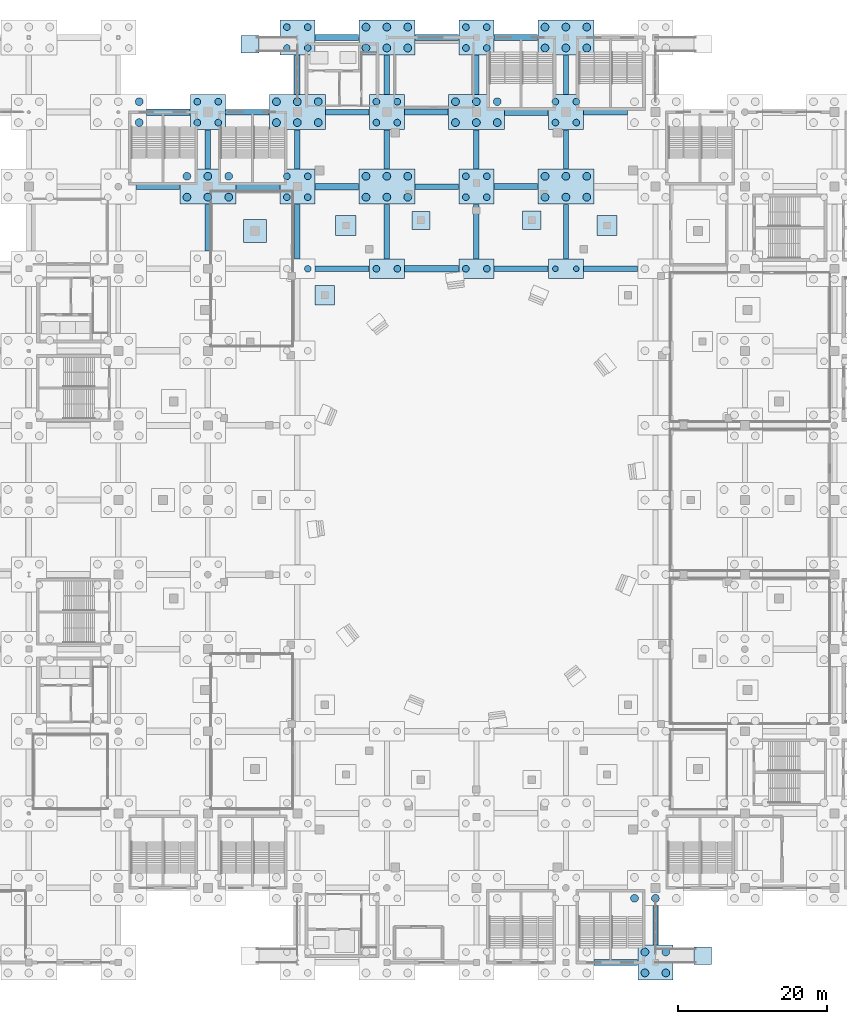
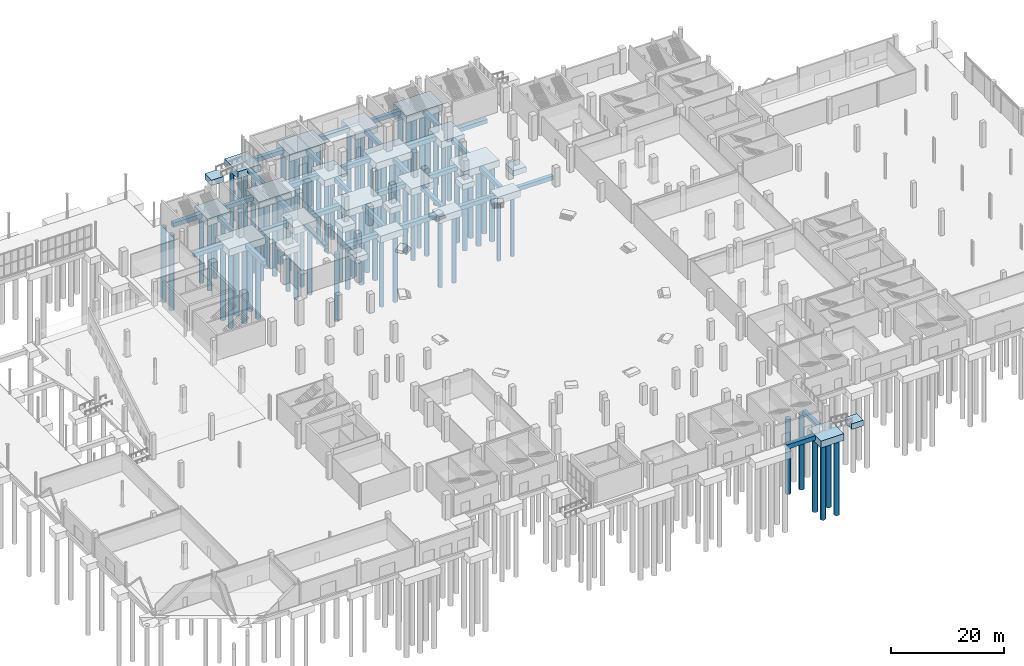
# One storey, part 5 of 70: 85 piles, 60 footings.
"""IFC4 building model written with IfcOpenShell, lengths in metres."""

from ifc_helpers import new_model, si_unit, direction, frame, origin, origin_2d, place, context, subcontext, project, spatial, rectangle, circle, extrude, material, layer, layer_set, material_profile, profile_set, type_object, element, save


model = new_model("IFC4")

# Units and contexts
model_context = context("Model", 3, precision=1e-05, world=origin(), true_north=direction((0.0, 1.0)))
body_context = subcontext(model_context, "Body", "Model", "MODEL_VIEW")
ifc_project = project(units=[si_unit("LENGTHUNIT", "METRE"), si_unit("AREAUNIT", "SQUARE_METRE"), si_unit("VOLUMEUNIT", "CUBIC_METRE"), si_unit("PLANEANGLEUNIT", "RADIAN"), si_unit("MASSUNIT", "GRAM", prefix="KILO")], contexts=[model_context])

# Site, building, storey
site_placement = place(None, origin())
site = spatial("IfcSite", under=ifc_project, at=site_placement, CompositionType="ELEMENT")
building_placement = place(site_placement, origin())
building = spatial("IfcBuilding", under=site, at=building_placement, Name="Brinegate Civic Arena", CompositionType="ELEMENT")
storey_placement = place(building_placement, origin())
storey = spatial("IfcBuildingStorey", under=building, at=storey_placement, Name="L00", CompositionType="ELEMENT", Elevation=0.0)

# Footings
ifc_material = material(Name="Concrete C40/50", Category="concrete")
ifc_layer_1 = layer(ifc_material, 1.5, Name="Concrete C40/50")
ifc_layer_set_1 = layer_set([ifc_layer_1], Name="Concrete C40/50")
footing_type_1 = type_object("IfcFootingType", Name="CAP-2PILE-3800", PredefinedType="PILE_CAP", material=ifc_layer_set_1)
for number, where, z_axis, x_axis, name in (
    (1, (96.0, 93.0, -1.800048828125), (0.0, 0.0, 1.0), (1.0, 0.0, 0.0), "Pile Cap CAP-101 (9-K)"),
    (2, (108.0, 93.0, -1.800048828125), (0.0, 0.0, 1.0), (1.0, 0.0, 0.0), "Pile Cap CAP-109 (10-K)"),
    (3, (120.0, 93.0, -1.800048828125), (0.0, 0.0, 1.0), (1.0, 0.0, 0.0), "Pile Cap CAP-117 (11-K)"),
):
    element("IfcFooting", number, at=place(storey_placement, frame(where, z_axis=z_axis, x_axis=x_axis)), inside=storey, type_object=footing_type_1, Name=name, PredefinedType="PILE_CAP", context=body_context, shape_type="SweptSolid", body=[
        extrude(rectangle(XDim=4.699951171875, YDim=2.60009765625, at=origin_2d()), origin(), (0.0, 0.0, 1.0), 1.5),
    ])
ifc_layer_2 = layer(ifc_material, 1.5, Name="Concrete C40/50")
ifc_layer_set_2 = layer_set([ifc_layer_2], Name="Concrete C40/50")
footing_type_2 = type_object("IfcFootingType", Name="CAP-4PILE-3800", PredefinedType="PILE_CAP", material=ifc_layer_set_2)
for number, where, z_axis, x_axis, name in (
    (4, (72.0, 114.0, -1.800048828125), (0.0, 0.0, 1.0), (1.0, 0.0, 0.0), "Pile Cap CAP-083 (7-M)"),
    (5, (84.0, 104.0, -1.800048828125), (0.0, 0.0, 1.0), (1.0, 0.0, 0.0), "Pile Cap CAP-094 (8-L)"),
    (6, (84.0, 124.0, -1.800048828125), (0.0, 0.0, 1.0), (1.0, 0.0, 0.0), "Pile Cap CAP-096 (8-N)"),
    (7, (96.0, 114.0, -1.800048828125), (0.0, 0.0, 1.0), (1.0, 0.0, 0.0), "Pile Cap CAP-103 (9-M)"),
    (8, (108.0, 104.0, -1.800048828125), (0.0, 0.0, 1.0), (1.0, 0.0, 0.0), "Pile Cap CAP-110 (10-L)"),
    (9, (108.0, 124.0, -1.800048828125), (0.0, 0.0, 1.0), (1.0, 0.0, 0.0), "Pile Cap CAP-112 (10-N)"),
    (10, (120.0, 114.0, -1.800048828125), (0.0, 0.0, 1.0), (1.0, 0.0, 0.0), "Pile Cap CAP-119 (11-M)"),
    (11, (132.0, 0.0, -1.800048828125), (0.0, 0.0, 1.0), (1.0, 0.0, 0.0), "Pile Cap CAP-121 (12-A)"),
):
    element("IfcFooting", number, at=place(storey_placement, frame(where, z_axis=z_axis, x_axis=x_axis)), inside=storey, type_object=footing_type_2, Name=name, PredefinedType="PILE_CAP", context=body_context, shape_type="SweptSolid", body=[
        extrude(rectangle(XDim=4.699951171875, YDim=4.699951171875, at=origin_2d()), origin(), (0.0, 0.0, 1.0), 1.5),
    ])
ifc_layer_3 = layer(ifc_material, 1.5, Name="Concrete C40/50")
ifc_layer_set_3 = layer_set([ifc_layer_3], Name="Concrete C40/50")
footing_type_3 = type_object("IfcFootingType", Name="CAP-6PILE-5400", PredefinedType="PILE_CAP", material=ifc_layer_set_3)
for number, where, z_axis, x_axis, name in (
    (12, (72.0, 104.0, -1.800048828125), (0.0, 0.0, 1.0), (1.0, 0.0, 0.0), "Pile Cap CAP-082 (7-L)"),
    (13, (84.0, 114.0, -1.800048828125), (0.0, 0.0, 1.0), (1.0, 0.0, 0.0), "Pile Cap CAP-095 (8-M)"),
    (14, (96.0, 104.0, -1.800048828125), (0.0, 0.0, 1.0), (1.0, 0.0, 0.0), "Pile Cap CAP-102 (9-L)"),
    (15, (96.0, 124.0, -1.800048828125), (0.0, 0.0, 1.0), (1.0, 0.0, 0.0), "Pile Cap CAP-104 (9-N)"),
    (16, (108.0, 114.0, -1.800048828125), (0.0, 0.0, 1.0), (1.0, 0.0, 0.0), "Pile Cap CAP-111 (10-M)"),
    (17, (120.0, 104.0, -1.800048828125), (0.0, 0.0, 1.0), (1.0, 0.0, 0.0), "Pile Cap CAP-118 (11-L)"),
    (18, (120.0, 124.0, -1.800048828125), (0.0, 0.0, 1.0), (1.0, 0.0, 0.0), "Pile Cap CAP-120 (11-N)"),
):
    element("IfcFooting", number, at=place(storey_placement, frame(where, z_axis=z_axis, x_axis=x_axis)), inside=storey, type_object=footing_type_3, Name=name, PredefinedType="PILE_CAP", context=body_context, shape_type="SweptSolid", body=[
        extrude(rectangle(XDim=7.5, YDim=4.699951171875, at=origin_2d()), origin(), (0.0, 0.0, 1.0), 1.5),
    ])
ifc_layer_4 = layer(ifc_material, 1.199951171875, Name="Concrete C40/50")
ifc_layer_set_4 = layer_set([ifc_layer_4], Name="Concrete C40/50")
footing_type_4 = type_object("IfcFootingType", Name="PAD-FOOT-2400", PredefinedType="PAD_FOOTING", material=ifc_layer_set_4)
for number, where, z_axis, x_axis, name in (
    (19, (100.55908203125, 99.489990234375, -1.5), (0.0, 0.0, 1.0), (1.0, 0.0, 0.0), "Pad Footing PAD-004"),
    (20, (138.35009765625, 0.89990234375, -1.64892578125), (0.0, 0.0, 1.0), (1.0, 0.0, 0.0), "Ramp Toe Pad Footing PAD-036"),
    (21, (77.64990234375, 123.10009765625, -1.64892578125), (0.0, 0.0, 1.0), (1.0, 0.0, 0.0), "Ramp Toe Pad Footing PAD-037"),
):
    element("IfcFooting", number, at=place(storey_placement, frame(where, z_axis=z_axis, x_axis=x_axis)), inside=storey, type_object=footing_type_4, Name=name, PredefinedType="PAD_FOOTING", context=body_context, shape_type="SweptSolid", body=[
        extrude(rectangle(XDim=2.39990234375, YDim=2.39990234375, at=origin_2d()), origin(), (0.0, 0.0, 1.0), 1.199951171875),
    ])
ifc_layer_5 = layer(ifc_material, 1.14990234375, Name="Concrete C40/50")
ifc_layer_set_5 = layer_set([ifc_layer_5], Name="Concrete C40/50")
footing_type_5 = type_object("IfcFootingType", Name="PAD-FOOT-2500", PredefinedType="PAD_FOOTING", material=ifc_layer_set_5)
footing_1_placement = place(storey_placement, frame((115.44091796875, 99.489990234375, -1.449951171875), z_axis=(0.0, 0.0, 1.0), x_axis=(1.0, 0.0, 0.0)))
element("IfcFooting", 22, at=footing_1_placement, inside=storey, type_object=footing_type_5, Name="Pad Footing PAD-003", PredefinedType="PAD_FOOTING", context=body_context, shape_type="SweptSolid", body=[
    extrude(rectangle(XDim=2.5, YDim=2.5, at=origin_2d()), origin(), (0.0, 0.0, 1.0), 1.14990234375),
])
ifc_layer_6 = layer(ifc_material, 1.199951171875, Name="Concrete C40/50")
ifc_layer_set_6 = layer_set([ifc_layer_6], Name="Concrete C40/50")
footing_type_6 = type_object("IfcFootingType", Name="PAD-FOOT-2600", PredefinedType="PAD_FOOTING", material=ifc_layer_set_6)
footing_2_placement = place(storey_placement, frame((87.6708984375, 89.444091796875, -1.5), z_axis=(0.0, 0.0, 1.0), x_axis=(1.0, 0.0, 0.0)))
element("IfcFooting", 23, at=footing_2_placement, inside=storey, type_object=footing_type_6, Name="Pad Footing PAD-005", PredefinedType="PAD_FOOTING", context=body_context, shape_type="SweptSolid", body=[
    extrude(rectangle(XDim=2.60009765625, YDim=2.60009765625, at=origin_2d()), origin(), (0.0, 0.0, 1.0), 1.199951171875),
])
ifc_layer_7 = layer(ifc_material, 1.199951171875, Name="Concrete C40/50")
ifc_layer_set_7 = layer_set([ifc_layer_7], Name="Concrete C40/50")
footing_type_7 = type_object("IfcFootingType", Name="PAD-FOOT-2700", PredefinedType="PAD_FOOTING", material=ifc_layer_set_7)
for number, where, z_axis, x_axis, name in (
    (24, (125.5, 98.805908203125, -1.5), (0.0, 0.0, 1.0), (1.0, 0.0, 0.0), "Pad Footing PAD-012"),
    (25, (90.5, 98.805908203125, -1.5), (0.0, 0.0, 1.0), (1.0, 0.0, 0.0), "Pad Footing PAD-013"),
):
    element("IfcFooting", number, at=place(storey_placement, frame(where, z_axis=z_axis, x_axis=x_axis)), inside=storey, type_object=footing_type_7, Name=name, PredefinedType="PAD_FOOTING", context=body_context, shape_type="SweptSolid", body=[
        extrude(rectangle(XDim=2.699951171875, YDim=2.699951171875, at=origin_2d()), origin(), (0.0, 0.0, 1.0), 1.199951171875),
    ])
ifc_layer_8 = layer(ifc_material, 1.300048828125, Name="Concrete C40/50")
ifc_layer_set_8 = layer_set([ifc_layer_8], Name="Concrete C40/50")
footing_type_8 = type_object("IfcFootingType", Name="PAD-FOOT-3100", PredefinedType="PAD_FOOTING", material=ifc_layer_set_8)
footing_3_placement = place(storey_placement, frame((78.302001953125, 98.06201171875, -1.60009765625), z_axis=(0.0, 0.0, 1.0), x_axis=(1.0, 0.0, 0.0)))
element("IfcFooting", 26, at=footing_3_placement, inside=storey, type_object=footing_type_8, Name="Pad Footing PAD-023", PredefinedType="PAD_FOOTING", context=body_context, shape_type="SweptSolid", body=[
    extrude(rectangle(XDim=3.10009765625, YDim=3.10009765625, at=origin_2d()), origin(), (0.0, 0.0, 1.0), 1.300048828125),
])

# Piles
ifc_material_profile_1 = material_profile(ifc_material, circle(Radius=0.52490234375, at=origin_2d()), Name="PILED1050")
ifc_profile_set_1 = profile_set([ifc_material_profile_1], Name="Concrete C40/50")
pile_type_1 = type_object("IfcPileType", Name="PILE-BORED-1050", PredefinedType="BORED", material=ifc_profile_set_1)
for number, where, z_axis, x_axis, name in (
    (27, (62.800048828125, 112.60009765625, -1.699951171875), (0.0, 0.0, -1.0), (1.0, 0.0, 0.0), "Bored Socket Pile PIL-0215"),
    (28, (62.800048828125, 115.39990234375, -1.699951171875), (0.0, 0.0, -1.0), (1.0, 0.0, 0.0), "Bored Socket Pile PIL-0218"),
    (29, (69.199951171875, 102.60009765625, -1.699951171875), (0.0, 0.0, -1.0), (1.0, 0.0, 0.0), "Bored Socket Pile PIL-0267"),
    (30, (72.0, 102.60009765625, -1.699951171875), (0.0, 0.0, -1.0), (1.0, 0.0, 0.0), "Bored Socket Pile PIL-0268"),
    (31, (74.800048828125, 102.60009765625, -1.699951171875), (0.0, 0.0, -1.0), (1.0, 0.0, 0.0), "Bored Socket Pile PIL-0269"),
    (32, (69.199951171875, 105.39990234375, -1.699951171875), (0.0, 0.0, -1.0), (1.0, 0.0, 0.0), "Bored Socket Pile PIL-0270"),
    (33, (72.0, 105.39990234375, -1.699951171875), (0.0, 0.0, -1.0), (1.0, 0.0, 0.0), "Bored Socket Pile PIL-0271"),
    (34, (74.800048828125, 105.39990234375, -1.699951171875), (0.0, 0.0, -1.0), (1.0, 0.0, 0.0), "Bored Socket Pile PIL-0272"),
    (35, (81.199951171875, 112.60009765625, -1.699951171875), (0.0, 0.0, -1.0), (1.0, 0.0, 0.0), "Bored Socket Pile PIL-0309"),
    (36, (84.0, 112.60009765625, -1.699951171875), (0.0, 0.0, -1.0), (1.0, 0.0, 0.0), "Bored Socket Pile PIL-0310"),
    (37, (86.800048828125, 112.60009765625, -1.699951171875), (0.0, 0.0, -1.0), (1.0, 0.0, 0.0), "Bored Socket Pile PIL-0311"),
    (38, (81.199951171875, 115.39990234375, -1.699951171875), (0.0, 0.0, -1.0), (1.0, 0.0, 0.0), "Bored Socket Pile PIL-0312"),
    (39, (84.0, 115.39990234375, -1.699951171875), (0.0, 0.0, -1.0), (1.0, 0.0, 0.0), "Bored Socket Pile PIL-0313"),
    (40, (86.800048828125, 115.39990234375, -1.699951171875), (0.0, 0.0, -1.0), (1.0, 0.0, 0.0), "Bored Socket Pile PIL-0314"),
    (41, (93.199951171875, 102.60009765625, -1.699951171875), (0.0, 0.0, -1.0), (1.0, 0.0, 0.0), "Bored Socket Pile PIL-0339"),
    (42, (96.0, 102.60009765625, -1.699951171875), (0.0, 0.0, -1.0), (1.0, 0.0, 0.0), "Bored Socket Pile PIL-0340"),
    (43, (98.800048828125, 102.60009765625, -1.699951171875), (0.0, 0.0, -1.0), (1.0, 0.0, 0.0), "Bored Socket Pile PIL-0341"),
    (44, (93.199951171875, 105.39990234375, -1.699951171875), (0.0, 0.0, -1.0), (1.0, 0.0, 0.0), "Bored Socket Pile PIL-0342"),
    (45, (96.0, 105.39990234375, -1.699951171875), (0.0, 0.0, -1.0), (1.0, 0.0, 0.0), "Bored Socket Pile PIL-0343"),
    (46, (98.800048828125, 105.39990234375, -1.699951171875), (0.0, 0.0, -1.0), (1.0, 0.0, 0.0), "Bored Socket Pile PIL-0344"),
    (47, (93.199951171875, 122.60009765625, -1.699951171875), (0.0, 0.0, -1.0), (1.0, 0.0, 0.0), "Bored Socket Pile PIL-0349"),
    (48, (96.0, 122.60009765625, -1.699951171875), (0.0, 0.0, -1.0), (1.0, 0.0, 0.0), "Bored Socket Pile PIL-0350"),
    (49, (98.800048828125, 122.60009765625, -1.699951171875), (0.0, 0.0, -1.0), (1.0, 0.0, 0.0), "Bored Socket Pile PIL-0351"),
    (50, (93.199951171875, 125.39990234375, -1.699951171875), (0.0, 0.0, -1.0), (1.0, 0.0, 0.0), "Bored Socket Pile PIL-0352"),
    (51, (96.0, 125.39990234375, -1.699951171875), (0.0, 0.0, -1.0), (1.0, 0.0, 0.0), "Bored Socket Pile PIL-0353"),
    (52, (98.800048828125, 125.39990234375, -1.699951171875), (0.0, 0.0, -1.0), (1.0, 0.0, 0.0), "Bored Socket Pile PIL-0354"),
    (53, (105.199951171875, 112.60009765625, -1.699951171875), (0.0, 0.0, -1.0), (1.0, 0.0, 0.0), "Bored Socket Pile PIL-0377"),
    (54, (108.0, 112.60009765625, -1.699951171875), (0.0, 0.0, -1.0), (1.0, 0.0, 0.0), "Bored Socket Pile PIL-0378"),
    (55, (110.800048828125, 112.60009765625, -1.699951171875), (0.0, 0.0, -1.0), (1.0, 0.0, 0.0), "Bored Socket Pile PIL-0379"),
    (56, (105.199951171875, 115.39990234375, -1.699951171875), (0.0, 0.0, -1.0), (1.0, 0.0, 0.0), "Bored Socket Pile PIL-0380"),
    (57, (108.0, 115.39990234375, -1.699951171875), (0.0, 0.0, -1.0), (1.0, 0.0, 0.0), "Bored Socket Pile PIL-0381"),
    (58, (110.800048828125, 115.39990234375, -1.699951171875), (0.0, 0.0, -1.0), (1.0, 0.0, 0.0), "Bored Socket Pile PIL-0382"),
    (59, (117.199951171875, 102.60009765625, -1.699951171875), (0.0, 0.0, -1.0), (1.0, 0.0, 0.0), "Bored Socket Pile PIL-0407"),
    (60, (120.0, 102.60009765625, -1.699951171875), (0.0, 0.0, -1.0), (1.0, 0.0, 0.0), "Bored Socket Pile PIL-0408"),
    (61, (122.800048828125, 102.60009765625, -1.699951171875), (0.0, 0.0, -1.0), (1.0, 0.0, 0.0), "Bored Socket Pile PIL-0409"),
    (62, (117.199951171875, 105.39990234375, -1.699951171875), (0.0, 0.0, -1.0), (1.0, 0.0, 0.0), "Bored Socket Pile PIL-0410"),
    (63, (120.0, 105.39990234375, -1.699951171875), (0.0, 0.0, -1.0), (1.0, 0.0, 0.0), "Bored Socket Pile PIL-0411"),
    (64, (122.800048828125, 105.39990234375, -1.699951171875), (0.0, 0.0, -1.0), (1.0, 0.0, 0.0), "Bored Socket Pile PIL-0412"),
    (65, (117.199951171875, 122.60009765625, -1.699951171875), (0.0, 0.0, -1.0), (1.0, 0.0, 0.0), "Bored Socket Pile PIL-0417"),
    (66, (120.0, 122.60009765625, -1.699951171875), (0.0, 0.0, -1.0), (1.0, 0.0, 0.0), "Bored Socket Pile PIL-0418"),
    (67, (122.800048828125, 122.60009765625, -1.699951171875), (0.0, 0.0, -1.0), (1.0, 0.0, 0.0), "Bored Socket Pile PIL-0419"),
    (68, (117.199951171875, 125.39990234375, -1.699951171875), (0.0, 0.0, -1.0), (1.0, 0.0, 0.0), "Bored Socket Pile PIL-0420"),
    (69, (120.0, 125.39990234375, -1.699951171875), (0.0, 0.0, -1.0), (1.0, 0.0, 0.0), "Bored Socket Pile PIL-0421"),
    (70, (122.800048828125, 125.39990234375, -1.699951171875), (0.0, 0.0, -1.0), (1.0, 0.0, 0.0), "Bored Socket Pile PIL-0422"),
    (71, (130.60009765625, -1.39990234375, -1.699951171875), (0.0, 0.0, -1.0), (1.0, 0.0, 0.0), "Bored Socket Pile PIL-0423"),
    (72, (133.39990234375, -1.39990234375, -1.699951171875), (0.0, 0.0, -1.0), (1.0, 0.0, 0.0), "Bored Socket Pile PIL-0424"),
    (73, (130.60009765625, 1.39990234375, -1.699951171875), (0.0, 0.0, -1.0), (1.0, 0.0, 0.0), "Bored Socket Pile PIL-0425"),
    (74, (133.39990234375, 1.39990234375, -1.699951171875), (0.0, 0.0, -1.0), (1.0, 0.0, 0.0), "Bored Socket Pile PIL-0426"),
    (75, (129.199951171875, 8.60009765625, -1.699951171875), (0.0, 0.0, -1.0), (1.0, 0.0, 0.0), "Bored Socket Pile PIL-0427"),
    (76, (132.0, 8.60009765625, -1.699951171875), (0.0, 0.0, -1.0), (1.0, 0.0, 0.0), "Bored Socket Pile PIL-0428"),
):
    element("IfcPile", number, at=place(storey_placement, frame(where, z_axis=z_axis, x_axis=x_axis)), inside=storey, type_object=pile_type_1, Name=name, PredefinedType="BORED", context=body_context, shape_type="SweptSolid", body=[
        extrude(circle(Radius=0.52490234375, at=origin_2d()), origin(), (0.0, 0.0, 1.0), 16.300048828125),
    ])
ifc_material_profile_2 = material_profile(ifc_material, circle(Radius=0.375, at=origin_2d()), Name="PILED750")
ifc_profile_set_2 = profile_set([ifc_material_profile_2], Name="Concrete C40/50")
pile_type_2 = type_object("IfcPileType", Name="PILE-BORED-750", PredefinedType="BORED", material=ifc_profile_set_2)
for number, where, z_axis, x_axis, name in (
    (77, (118.60009765625, 93.0, -1.699951171875), (0.0, 0.0, -1.0), (1.0, 0.0, 0.0), "Bored Socket Pile PIL-0405"),
    (78, (121.39990234375, 93.0, -1.699951171875), (0.0, 0.0, -1.0), (1.0, 0.0, 0.0), "Bored Socket Pile PIL-0406"),
):
    element("IfcPile", number, at=place(storey_placement, frame(where, z_axis=z_axis, x_axis=x_axis)), inside=storey, type_object=pile_type_2, Name=name, PredefinedType="BORED", context=body_context, shape_type="SweptSolid", body=[
        extrude(circle(Radius=0.375, at=origin_2d()), origin(), (0.0, 0.0, 1.0), 13.300048828125),
    ])
ifc_material_profile_3 = material_profile(ifc_material, circle(Radius=0.449951171875, at=origin_2d()), Name="PILED900")
ifc_profile_set_3 = profile_set([ifc_material_profile_3], Name="Concrete C40/50")
pile_type_3 = type_object("IfcPileType", Name="PILE-BORED-900", PredefinedType="BORED", material=ifc_profile_set_3)
for number, where, z_axis, x_axis, name in (
    (79, (70.60009765625, 112.60009765625, -1.699951171875), (0.0, 0.0, -1.0), (1.0, 0.0, 0.0), "Bored Socket Pile PIL-0273"),
    (80, (73.39990234375, 112.60009765625, -1.699951171875), (0.0, 0.0, -1.0), (1.0, 0.0, 0.0), "Bored Socket Pile PIL-0274"),
    (81, (70.60009765625, 115.39990234375, -1.699951171875), (0.0, 0.0, -1.0), (1.0, 0.0, 0.0), "Bored Socket Pile PIL-0275"),
    (82, (73.39990234375, 115.39990234375, -1.699951171875), (0.0, 0.0, -1.0), (1.0, 0.0, 0.0), "Bored Socket Pile PIL-0276"),
    (83, (85.39990234375, 93.0, -1.699951171875), (0.0, 0.0, -1.0), (1.0, 0.0, 0.0), "Bored Socket Pile PIL-0304"),
    (84, (82.60009765625, 102.60009765625, -1.699951171875), (0.0, 0.0, -1.0), (1.0, 0.0, 0.0), "Bored Socket Pile PIL-0305"),
    (85, (85.39990234375, 102.60009765625, -1.699951171875), (0.0, 0.0, -1.0), (1.0, 0.0, 0.0), "Bored Socket Pile PIL-0306"),
    (86, (82.60009765625, 105.39990234375, -1.699951171875), (0.0, 0.0, -1.0), (1.0, 0.0, 0.0), "Bored Socket Pile PIL-0307"),
    (87, (85.39990234375, 105.39990234375, -1.699951171875), (0.0, 0.0, -1.0), (1.0, 0.0, 0.0), "Bored Socket Pile PIL-0308"),
    (88, (82.60009765625, 122.60009765625, -1.699951171875), (0.0, 0.0, -1.0), (1.0, 0.0, 0.0), "Bored Socket Pile PIL-0315"),
    (89, (85.39990234375, 122.60009765625, -1.699951171875), (0.0, 0.0, -1.0), (1.0, 0.0, 0.0), "Bored Socket Pile PIL-0316"),
    (90, (82.60009765625, 125.39990234375, -1.699951171875), (0.0, 0.0, -1.0), (1.0, 0.0, 0.0), "Bored Socket Pile PIL-0317"),
    (91, (85.39990234375, 125.39990234375, -1.699951171875), (0.0, 0.0, -1.0), (1.0, 0.0, 0.0), "Bored Socket Pile PIL-0318"),
    (92, (94.60009765625, 93.0, -1.699951171875), (0.0, 0.0, -1.0), (1.0, 0.0, 0.0), "Bored Socket Pile PIL-0337"),
    (93, (97.39990234375, 93.0, -1.699951171875), (0.0, 0.0, -1.0), (1.0, 0.0, 0.0), "Bored Socket Pile PIL-0338"),
    (94, (94.60009765625, 112.60009765625, -1.699951171875), (0.0, 0.0, -1.0), (1.0, 0.0, 0.0), "Bored Socket Pile PIL-0345"),
    (95, (97.39990234375, 112.60009765625, -1.699951171875), (0.0, 0.0, -1.0), (1.0, 0.0, 0.0), "Bored Socket Pile PIL-0346"),
    (96, (94.60009765625, 115.39990234375, -1.699951171875), (0.0, 0.0, -1.0), (1.0, 0.0, 0.0), "Bored Socket Pile PIL-0347"),
    (97, (97.39990234375, 115.39990234375, -1.699951171875), (0.0, 0.0, -1.0), (1.0, 0.0, 0.0), "Bored Socket Pile PIL-0348"),
    (98, (106.60009765625, 93.0, -1.699951171875), (0.0, 0.0, -1.0), (1.0, 0.0, 0.0), "Bored Socket Pile PIL-0371"),
    (99, (109.39990234375, 93.0, -1.699951171875), (0.0, 0.0, -1.0), (1.0, 0.0, 0.0), "Bored Socket Pile PIL-0372"),
    (100, (106.60009765625, 102.60009765625, -1.699951171875), (0.0, 0.0, -1.0), (1.0, 0.0, 0.0), "Bored Socket Pile PIL-0373"),
    (101, (109.39990234375, 102.60009765625, -1.699951171875), (0.0, 0.0, -1.0), (1.0, 0.0, 0.0), "Bored Socket Pile PIL-0374"),
    (102, (106.60009765625, 105.39990234375, -1.699951171875), (0.0, 0.0, -1.0), (1.0, 0.0, 0.0), "Bored Socket Pile PIL-0375"),
    (103, (109.39990234375, 105.39990234375, -1.699951171875), (0.0, 0.0, -1.0), (1.0, 0.0, 0.0), "Bored Socket Pile PIL-0376"),
    (104, (106.60009765625, 122.60009765625, -1.699951171875), (0.0, 0.0, -1.0), (1.0, 0.0, 0.0), "Bored Socket Pile PIL-0383"),
    (105, (109.39990234375, 122.60009765625, -1.699951171875), (0.0, 0.0, -1.0), (1.0, 0.0, 0.0), "Bored Socket Pile PIL-0384"),
    (106, (106.60009765625, 125.39990234375, -1.699951171875), (0.0, 0.0, -1.0), (1.0, 0.0, 0.0), "Bored Socket Pile PIL-0385"),
    (107, (109.39990234375, 125.39990234375, -1.699951171875), (0.0, 0.0, -1.0), (1.0, 0.0, 0.0), "Bored Socket Pile PIL-0386"),
    (108, (118.60009765625, 112.60009765625, -1.699951171875), (0.0, 0.0, -1.0), (1.0, 0.0, 0.0), "Bored Socket Pile PIL-0413"),
    (109, (121.39990234375, 112.60009765625, -1.699951171875), (0.0, 0.0, -1.0), (1.0, 0.0, 0.0), "Bored Socket Pile PIL-0414"),
    (110, (118.60009765625, 115.39990234375, -1.699951171875), (0.0, 0.0, -1.0), (1.0, 0.0, 0.0), "Bored Socket Pile PIL-0415"),
    (111, (121.39990234375, 115.39990234375, -1.699951171875), (0.0, 0.0, -1.0), (1.0, 0.0, 0.0), "Bored Socket Pile PIL-0416"),
):
    element("IfcPile", number, at=place(storey_placement, frame(where, z_axis=z_axis, x_axis=x_axis)), inside=storey, type_object=pile_type_3, Name=name, PredefinedType="BORED", context=body_context, shape_type="SweptSolid", body=[
        extrude(circle(Radius=0.449951171875, at=origin_2d()), origin(), (0.0, 0.0, 1.0), 14.800048828125),
    ])

# Footings
ifc_layer_9 = layer(ifc_material, 0.85009765625, Name="Concrete C40/50")
ifc_layer_set_9 = layer_set([ifc_layer_9], Name="Concrete C40/50")
footing_type_9 = type_object("IfcFootingType", Name="TIE-BEAM-700X850", PredefinedType="FOOTING_BEAM", material=ifc_layer_set_9)
footing_4_placement = place(storey_placement, frame((72.0, 98.5, -1.175048828125), z_axis=(0.0, 0.0, 1.0), x_axis=(0.0, 1.0, 0.0)))
element("IfcFooting", 112, at=footing_4_placement, inside=storey, type_object=footing_type_9, Name="Ground Tie Beam GTB-139", PredefinedType="FOOTING_BEAM", context=body_context, shape_type="SweptSolid", body=[
    extrude(rectangle(XDim=6.260009765625, YDim=0.699951171875, at=origin_2d()), origin(), (0.0, 0.0, 1.0), 0.85009765625),
])
footing_5_placement = place(storey_placement, frame((72.0, 109.0, -1.175048828125), z_axis=(0.0, 0.0, 1.0), x_axis=(0.0, 1.0, 0.0)))
element("IfcFooting", 113, at=footing_5_placement, inside=storey, type_object=footing_type_9, Name="Ground Tie Beam GTB-141", PredefinedType="FOOTING_BEAM", context=body_context, shape_type="SweptSolid", body=[
    extrude(rectangle(XDim=5.260009765625, YDim=0.699951171875, at=origin_2d()), origin(), (0.0, 0.0, 1.0), 0.85009765625),
])
footing_6_placement = place(storey_placement, frame((84.0, 97.97509765625, -1.175048828125), z_axis=(0.0, 0.0, 1.0), x_axis=(0.0, 1.0, 0.0)))
element("IfcFooting", 114, at=footing_6_placement, inside=storey, type_object=footing_type_9, Name="Ground Tie Beam GTB-157", PredefinedType="FOOTING_BEAM", context=body_context, shape_type="SweptSolid", body=[
    extrude(rectangle(XDim=7.31005859375, YDim=0.699951171875, at=origin_2d()), origin(), (0.0, 0.0, 1.0), 0.85009765625),
])
for number, where, z_axis, x_axis, name in (
    (115, (84.0, 109.0, -1.175048828125), (0.0, 0.0, 1.0), (0.0, 1.0, 0.0), "Ground Tie Beam GTB-159"),
    (116, (84.0, 119.0, -1.175048828125), (0.0, 0.0, 1.0), (0.0, 1.0, 0.0), "Ground Tie Beam GTB-161"),
):
    element("IfcFooting", number, at=place(storey_placement, frame(where, z_axis=z_axis, x_axis=x_axis)), inside=storey, type_object=footing_type_9, Name=name, PredefinedType="FOOTING_BEAM", context=body_context, shape_type="SweptSolid", body=[
        extrude(rectangle(XDim=5.260009765625, YDim=0.699951171875, at=origin_2d()), origin(), (0.0, 0.0, 1.0), 0.85009765625),
    ])
footing_7_placement = place(storey_placement, frame((96.0, 97.97509765625, -1.175048828125), z_axis=(0.0, 0.0, 1.0), x_axis=(0.0, 1.0, 0.0)))
element("IfcFooting", 117, at=footing_7_placement, inside=storey, type_object=footing_type_9, Name="Ground Tie Beam GTB-171", PredefinedType="FOOTING_BEAM", context=body_context, shape_type="SweptSolid", body=[
    extrude(rectangle(XDim=7.31005859375, YDim=0.699951171875, at=origin_2d()), origin(), (0.0, 0.0, 1.0), 0.85009765625),
])
for number, where, z_axis, x_axis, name in (
    (118, (96.0, 109.0, -1.175048828125), (0.0, 0.0, 1.0), (0.0, 1.0, 0.0), "Ground Tie Beam GTB-173"),
    (119, (96.0, 119.0, -1.175048828125), (0.0, 0.0, 1.0), (0.0, 1.0, 0.0), "Ground Tie Beam GTB-175"),
):
    element("IfcFooting", number, at=place(storey_placement, frame(where, z_axis=z_axis, x_axis=x_axis)), inside=storey, type_object=footing_type_9, Name=name, PredefinedType="FOOTING_BEAM", context=body_context, shape_type="SweptSolid", body=[
        extrude(rectangle(XDim=5.260009765625, YDim=0.699951171875, at=origin_2d()), origin(), (0.0, 0.0, 1.0), 0.85009765625),
    ])
footing_8_placement = place(storey_placement, frame((108.0, 97.97509765625, -1.175048828125), z_axis=(0.0, 0.0, 1.0), x_axis=(0.0, 1.0, 0.0)))
element("IfcFooting", 120, at=footing_8_placement, inside=storey, type_object=footing_type_9, Name="Ground Tie Beam GTB-185", PredefinedType="FOOTING_BEAM", context=body_context, shape_type="SweptSolid", body=[
    extrude(rectangle(XDim=7.31005859375, YDim=0.699951171875, at=origin_2d()), origin(), (0.0, 0.0, 1.0), 0.85009765625),
])
for number, where, z_axis, x_axis, name in (
    (121, (108.0, 109.0, -1.175048828125), (0.0, 0.0, 1.0), (0.0, 1.0, 0.0), "Ground Tie Beam GTB-187"),
    (122, (108.0, 119.0, -1.175048828125), (0.0, 0.0, 1.0), (0.0, 1.0, 0.0), "Ground Tie Beam GTB-189"),
):
    element("IfcFooting", number, at=place(storey_placement, frame(where, z_axis=z_axis, x_axis=x_axis)), inside=storey, type_object=footing_type_9, Name=name, PredefinedType="FOOTING_BEAM", context=body_context, shape_type="SweptSolid", body=[
        extrude(rectangle(XDim=5.260009765625, YDim=0.699951171875, at=origin_2d()), origin(), (0.0, 0.0, 1.0), 0.85009765625),
    ])
footing_9_placement = place(storey_placement, frame((120.0, 97.97509765625, -1.175048828125), z_axis=(0.0, 0.0, 1.0), x_axis=(0.0, 1.0, 0.0)))
element("IfcFooting", 123, at=footing_9_placement, inside=storey, type_object=footing_type_9, Name="Ground Tie Beam GTB-199", PredefinedType="FOOTING_BEAM", context=body_context, shape_type="SweptSolid", body=[
    extrude(rectangle(XDim=7.31005859375, YDim=0.699951171875, at=origin_2d()), origin(), (0.0, 0.0, 1.0), 0.85009765625),
])
for number, where, z_axis, x_axis, name in (
    (124, (120.0, 109.0, -1.175048828125), (0.0, 0.0, 1.0), (0.0, 1.0, 0.0), "Ground Tie Beam GTB-201"),
    (125, (120.0, 119.0, -1.175048828125), (0.0, 0.0, 1.0), (0.0, 1.0, 0.0), "Ground Tie Beam GTB-203"),
    (126, (132.0, 5.0, -1.175048828125), (0.0, 0.0, 1.0), (0.0, 1.0, 0.0), "Ground Tie Beam GTB-205"),
):
    element("IfcFooting", number, at=place(storey_placement, frame(where, z_axis=z_axis, x_axis=x_axis)), inside=storey, type_object=footing_type_9, Name=name, PredefinedType="FOOTING_BEAM", context=body_context, shape_type="SweptSolid", body=[
        extrude(rectangle(XDim=5.260009765625, YDim=0.699951171875, at=origin_2d()), origin(), (0.0, 0.0, 1.0), 0.85009765625),
    ])
ifc_layer_10 = layer(ifc_material, 0.89990234375, Name="Concrete C40/50")
ifc_layer_set_10 = layer_set([ifc_layer_10], Name="Concrete C40/50")
footing_type_10 = type_object("IfcFootingType", Name="TIE-BEAM-750X900", PredefinedType="FOOTING_BEAM", material=ifc_layer_set_10)
for number, where, z_axis, x_axis, name in (
    (127, (77.300048828125, 114.0, -1.199951171875), (0.0, 0.0, 1.0), (1.0, 0.0, 0.0), "Ground Tie Beam GTB-142"),
    (128, (90.699951171875, 114.0, -1.199951171875), (0.0, 0.0, 1.0), (1.0, 0.0, 0.0), "Ground Tie Beam GTB-160"),
    (129, (102.699951171875, 104.0, -1.199951171875), (0.0, 0.0, 1.0), (1.0, 0.0, 0.0), "Ground Tie Beam GTB-172"),
):
    element("IfcFooting", number, at=place(storey_placement, frame(where, z_axis=z_axis, x_axis=x_axis)), inside=storey, type_object=footing_type_10, Name=name, PredefinedType="FOOTING_BEAM", context=body_context, shape_type="SweptSolid", body=[
        extrude(rectangle(XDim=5.860107421875, YDim=0.75, at=origin_2d()), origin(), (0.0, 0.0, 1.0), 0.89990234375),
    ])
footing_10_placement = place(storey_placement, frame((114.0, 93.0, -1.199951171875), z_axis=(0.0, 0.0, 1.0), x_axis=(1.0, 0.0, 0.0)))
element("IfcFooting", 130, at=footing_10_placement, inside=storey, type_object=footing_type_10, Name="Ground Tie Beam GTB-184", PredefinedType="FOOTING_BEAM", context=body_context, shape_type="SweptSolid", body=[
    extrude(rectangle(XDim=7.260009765625, YDim=0.75, at=origin_2d()), origin(), (0.0, 0.0, 1.0), 0.89990234375),
])
for number, where, z_axis, x_axis, name in (
    (131, (113.300048828125, 124.0, -1.199951171875), (0.0, 0.0, 1.0), (1.0, 0.0, 0.0), "Ground Tie Beam GTB-190"),
    (132, (125.300048828125, 114.0, -1.199951171875), (0.0, 0.0, 1.0), (1.0, 0.0, 0.0), "Ground Tie Beam GTB-202"),
):
    element("IfcFooting", number, at=place(storey_placement, frame(where, z_axis=z_axis, x_axis=x_axis)), inside=storey, type_object=footing_type_10, Name=name, PredefinedType="FOOTING_BEAM", context=body_context, shape_type="SweptSolid", body=[
        extrude(rectangle(XDim=5.860107421875, YDim=0.75, at=origin_2d()), origin(), (0.0, 0.0, 1.0), 0.89990234375),
    ])
ifc_layer_11 = layer(ifc_material, 0.89990234375, Name="Concrete C40/50")
ifc_layer_set_11 = layer_set([ifc_layer_11], Name="Concrete C40/50")
footing_type_11 = type_object("IfcFootingType", Name="TIE-BEAM-800X900", PredefinedType="FOOTING_BEAM", material=ifc_layer_set_11)
footing_11_placement = place(storey_placement, frame((65.300048828125, 104.0, -1.199951171875), z_axis=(0.0, 0.0, 1.0), x_axis=(1.0, 0.0, 0.0)))
element("IfcFooting", 133, at=footing_11_placement, inside=storey, type_object=footing_type_11, Name="Ground Tie Beam GTB-123", PredefinedType="FOOTING_BEAM", context=body_context, shape_type="SweptSolid", body=[
    extrude(rectangle(XDim=5.860107421875, YDim=0.800048828125, at=origin_2d()), origin(), (0.0, 0.0, 1.0), 0.89990234375),
])
footing_12_placement = place(storey_placement, frame((90.0, 93.0, -1.199951171875), z_axis=(0.0, 0.0, 1.0), x_axis=(1.0, 0.0, 0.0)))
element("IfcFooting", 134, at=footing_12_placement, inside=storey, type_object=footing_type_11, Name="Ground Tie Beam GTB-156", PredefinedType="FOOTING_BEAM", context=body_context, shape_type="SweptSolid", body=[
    extrude(rectangle(XDim=7.260009765625, YDim=0.800048828125, at=origin_2d()), origin(), (0.0, 0.0, 1.0), 0.89990234375),
])
for number, where, z_axis, x_axis, name in (
    (135, (89.300048828125, 124.0, -1.199951171875), (0.0, 0.0, 1.0), (1.0, 0.0, 0.0), "Ground Tie Beam GTB-162"),
    (136, (101.300048828125, 114.0, -1.199951171875), (0.0, 0.0, 1.0), (1.0, 0.0, 0.0), "Ground Tie Beam GTB-174"),
    (137, (113.300048828125, 104.0, -1.199951171875), (0.0, 0.0, 1.0), (1.0, 0.0, 0.0), "Ground Tie Beam GTB-186"),
):
    element("IfcFooting", number, at=place(storey_placement, frame(where, z_axis=z_axis, x_axis=x_axis)), inside=storey, type_object=footing_type_11, Name=name, PredefinedType="FOOTING_BEAM", context=body_context, shape_type="SweptSolid", body=[
        extrude(rectangle(XDim=5.860107421875, YDim=0.800048828125, at=origin_2d()), origin(), (0.0, 0.0, 1.0), 0.89990234375),
    ])
footing_13_placement = place(storey_placement, frame((126.0, 93.0, -1.199951171875), z_axis=(0.0, 0.0, 1.0), x_axis=(1.0, 0.0, 0.0)))
element("IfcFooting", 138, at=footing_13_placement, inside=storey, type_object=footing_type_11, Name="Ground Tie Beam GTB-198", PredefinedType="FOOTING_BEAM", context=body_context, shape_type="SweptSolid", body=[
    extrude(rectangle(XDim=7.260009765625, YDim=0.800048828125, at=origin_2d()), origin(), (0.0, 0.0, 1.0), 0.89990234375),
])
ifc_layer_12 = layer(ifc_material, 0.949951171875, Name="Concrete C40/50")
ifc_layer_set_12 = layer_set([ifc_layer_12], Name="Concrete C40/50")
footing_type_12 = type_object("IfcFootingType", Name="TIE-BEAM-850X950", PredefinedType="FOOTING_BEAM", material=ifc_layer_set_12)
for number, where, z_axis, x_axis, name in (
    (139, (66.699951171875, 114.0, -1.22509765625), (0.0, 0.0, 1.0), (1.0, 0.0, 0.0), "Ground Tie Beam GTB-125"),
    (140, (78.699951171875, 104.0, -1.22509765625), (0.0, 0.0, 1.0), (1.0, 0.0, 0.0), "Ground Tie Beam GTB-140"),
    (141, (89.300048828125, 104.0, -1.22509765625), (0.0, 0.0, 1.0), (1.0, 0.0, 0.0), "Ground Tie Beam GTB-158"),
):
    element("IfcFooting", number, at=place(storey_placement, frame(where, z_axis=z_axis, x_axis=x_axis)), inside=storey, type_object=footing_type_12, Name=name, PredefinedType="FOOTING_BEAM", context=body_context, shape_type="SweptSolid", body=[
        extrude(rectangle(XDim=5.860107421875, YDim=0.85009765625, at=origin_2d()), origin(), (0.0, 0.0, 1.0), 0.949951171875),
    ])
footing_14_placement = place(storey_placement, frame((102.0, 93.0, -1.22509765625), z_axis=(0.0, 0.0, 1.0), x_axis=(1.0, 0.0, 0.0)))
element("IfcFooting", 142, at=footing_14_placement, inside=storey, type_object=footing_type_12, Name="Ground Tie Beam GTB-170", PredefinedType="FOOTING_BEAM", context=body_context, shape_type="SweptSolid", body=[
    extrude(rectangle(XDim=7.260009765625, YDim=0.85009765625, at=origin_2d()), origin(), (0.0, 0.0, 1.0), 0.949951171875),
])
for number, where, z_axis, x_axis, name in (
    (143, (102.699951171875, 124.0, -1.22509765625), (0.0, 0.0, 1.0), (1.0, 0.0, 0.0), "Ground Tie Beam GTB-176"),
    (144, (114.699951171875, 114.0, -1.22509765625), (0.0, 0.0, 1.0), (1.0, 0.0, 0.0), "Ground Tie Beam GTB-188"),
    (145, (126.699951171875, 0.0, -1.22509765625), (0.0, 0.0, 1.0), (1.0, 0.0, 0.0), "Ground Tie Beam GTB-191"),
):
    element("IfcFooting", number, at=place(storey_placement, frame(where, z_axis=z_axis, x_axis=x_axis)), inside=storey, type_object=footing_type_12, Name=name, PredefinedType="FOOTING_BEAM", context=body_context, shape_type="SweptSolid", body=[
        extrude(rectangle(XDim=5.860107421875, YDim=0.85009765625, at=origin_2d()), origin(), (0.0, 0.0, 1.0), 0.949951171875),
    ])

save(model, "model.ifc")
